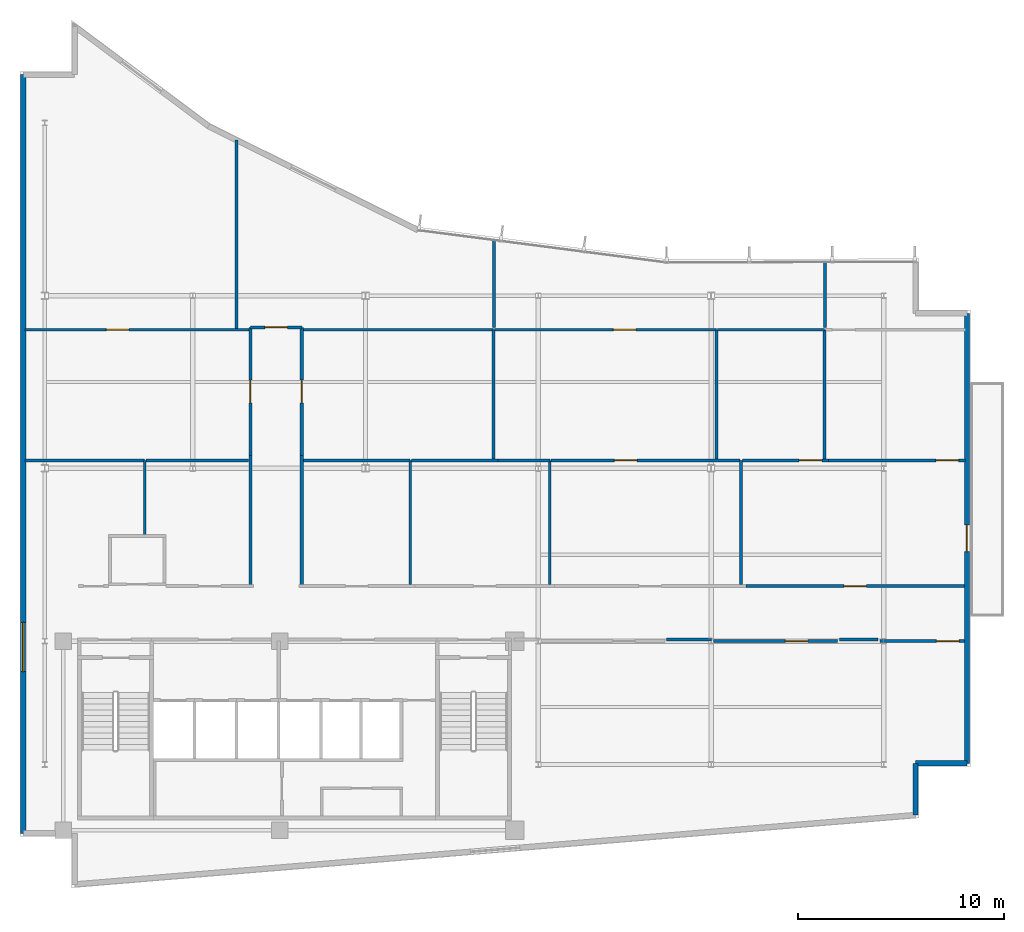
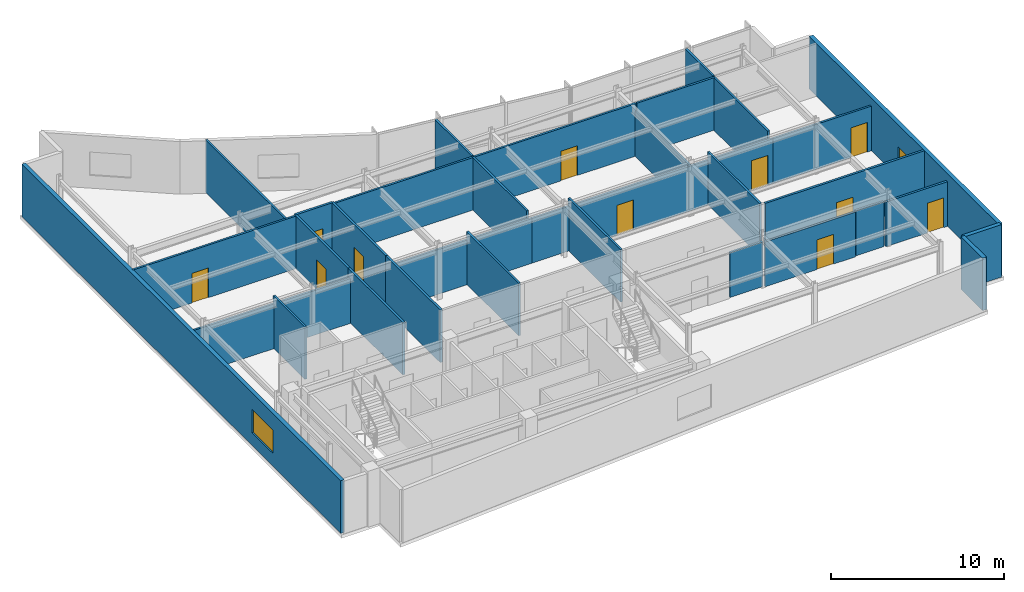
# One storey, part 11 of 15: 36 walls, 12 doors, 1 window, 13 openings.
"""IFC4 building model written with IfcOpenShell, lengths in metres."""

from ifc_helpers import new_model, si_unit, direction, frame, frame_2d, origin, place, context, subcontext, project, spatial, rectangle, extrude, material, layer, layer_set, type_object, element, fill, save


model = new_model("IFC4")

# Units and contexts
model_context = context("Model", 3, precision=1e-05, world=origin(), true_north=direction((0.0, 1.0)))
body_context = subcontext(model_context, "Body", "Model", "MODEL_VIEW")
ifc_project = project(units=[si_unit("LENGTHUNIT", "METRE"), si_unit("AREAUNIT", "SQUARE_METRE"), si_unit("VOLUMEUNIT", "CUBIC_METRE"), si_unit("PLANEANGLEUNIT", "RADIAN"), si_unit("MASSUNIT", "GRAM", prefix="KILO")], contexts=[model_context])

# Site, building, storey
site_placement = place(None, origin())
site = spatial("IfcSite", under=ifc_project, at=site_placement, CompositionType="ELEMENT")
building_placement = place(site_placement, origin())
building = spatial("IfcBuilding", under=site, at=building_placement, Name="Varnakote Quay Hospital", CompositionType="ELEMENT")
storey_placement = place(building_placement, frame((0.0, 0.0, 244.699951171875)))
storey = spatial("IfcBuildingStorey", under=building, at=storey_placement, Name="L60", CompositionType="ELEMENT", Elevation=244.699951171875)

# Walls
ifc_material_1 = material(Name="Fire-rated acoustic gypsum stud wall", Category="gypsum")
ifc_layer_1 = layer(ifc_material_1, 0.159912109375)
ifc_layer_set_1 = layer_set([ifc_layer_1], Name="Fire-rated acoustic gypsum stud wall")
wall_type_1 = type_object("IfcWallType", Name="WL-COMP-160", PredefinedType="PARTITIONING", material=ifc_layer_set_1)
wall_1_placement = place(storey_placement, frame((31.439208984375, 12.080078125, 0.0), z_axis=(0.0, 0.0, 1.0), x_axis=(1.0, 0.0, 0.0)))
element("IfcWall", 1, at=wall_1_placement, inside=storey, type_object=wall_type_1, Name="L60 Corridor South Gap Wall", PredefinedType="PARTITIONING", context=body_context, shape_type="SweptSolid", body=[
    extrude(rectangle(XDim=2.198486328125, YDim=0.159912109375, at=frame_2d((1.09912109375, 0.0))), origin(), (0.0, 0.0, 1.0), 3.156982421875),
])
wall_2_placement = place(storey_placement, frame((39.83935546875, 12.080078125, 0.0), z_axis=(0.0, 0.0, 1.0), x_axis=(1.0, 0.0, 0.0)))
element("IfcWall", 2, at=wall_2_placement, inside=storey, type_object=wall_type_1, Name="L60 Corridor South Gap Wall", PredefinedType="PARTITIONING", context=body_context, shape_type="SweptSolid", body=[
    extrude(rectangle(XDim=1.871337890625, YDim=0.159912109375, at=frame_2d((0.935546875, 0.0))), origin(), (0.0, 0.0, 1.0), 3.156982421875),
])
ifc_material_2 = material(Name="Precast concrete N50 (f'c 50 MPa)", Category="concrete")
ifc_layer_2 = layer(ifc_material_2, 0.260009765625)
ifc_layer_set_2 = layer_set([ifc_layer_2], Name="Precast concrete N50 (f'c 50 MPa)")
wall_type_2 = type_object("IfcWallType", Name="WL-EXT-BRICK-260", PredefinedType="STANDARD", material=ifc_layer_set_2)
wall_3_placement = place(storey_placement, frame((43.5400390625, 3.54736328125, 0.0), z_axis=(0.0, 0.0, 1.0), x_axis=(0.0, 1.0, 0.0)))
element("IfcWall", 3, at=wall_3_placement, inside=storey, type_object=wall_type_2, Name="L60 Brick-Faced Precast Exterior Wall", PredefinedType="STANDARD", context=body_context, shape_type="SweptSolid", body=[
    extrude(rectangle(XDim=2.5126953125, YDim=0.260009765625, at=frame_2d((1.25634765625, 0.0))), origin(), (0.0, 0.0, 1.0), 3.7099609375),
])
wall_4_placement = place(storey_placement, frame((43.5400390625, 6.06005859375, 0.0), z_axis=(0.0, 0.0, 1.0), x_axis=(1.0, 0.0, 0.0)))
element("IfcWall", 4, at=wall_4_placement, inside=storey, type_object=wall_type_2, Name="L60 Brick-Faced Precast Exterior Wall", PredefinedType="STANDARD", context=body_context, shape_type="SweptSolid", body=[
    extrude(rectangle(XDim=2.5, YDim=0.260009765625, at=frame_2d((1.25, 0.0))), origin(), (0.0, 0.0, 1.0), 3.7099609375),
])

# Wall, opening, door
wall_5_placement = place(storey_placement, frame((46.0400390625, 6.06005859375, 0.0), z_axis=(0.0, 0.0, 1.0), x_axis=(0.0, 1.0, 0.0)))
wall_5 = element("IfcWall", 5, at=wall_5_placement, inside=storey, type_object=wall_type_2, Name="L60 Healing Terrace Portal Brick Wall", PredefinedType="STANDARD", context=body_context, shape_type="SweptSolid", body=[
    extrude(rectangle(XDim=21.8798828125, YDim=0.260009765625, at=frame_2d((10.93994140625, 0.0))), origin(), (0.0, 0.0, 1.0), 3.7099609375),
])
opening_1_placement = place(wall_5_placement, frame((10.2900390625, 0.0, 0.0)))
opening_1 = element("IfcOpeningElement", 6, at=opening_1_placement, cuts=wall_5, Name="Opening DT-L60", PredefinedType="OPENING", context=body_context, shape_type="SweptSolid", body=[
    extrude(rectangle(XDim=1.300048828125, YDim=2.14990234375, at=frame_2d((0.64990234375, 1.074951171875))), frame((0.0, 0.139892578125, 0.0), z_axis=(0.0, -1.0, 0.0), x_axis=(1.0, 0.0, 0.0)), (0.0, 0.0, 1.0), 0.280029296875),
])
ifc_material_3 = material(Name="Anodised aluminium glazed terrace door", Category="aluminium")
door_type_1 = type_object("IfcDoorType", Name="DR-EXT-TERR-1300x2150", OperationType="NOTDEFINED", PredefinedType="DOOR", material=ifc_material_3)
door_1_placement = place(opening_1_placement, origin())
door_1 = element("IfcDoor", 7, at=door_1_placement, inside=storey, type_object=door_type_1, Name="L60 Waterfront Healing Terrace Door", OperationType="SINGLE_SWING_LEFT", OverallHeight=2.14990234375, OverallWidth=1.300048828125, PredefinedType="DOOR", context=body_context, shape_type="SweptSolid", body=[
    extrude(rectangle(XDim=1.300048828125, YDim=2.14990234375, at=frame_2d((0.64990234375, 1.074951171875))), frame((0.0, 0.02490234375, 0.0), z_axis=(0.0, -1.0, 0.0), x_axis=(1.0, 0.0, 0.0)), (0.0, 0.0, 1.0), 0.050048828125),
])
fill(opening_1, door_1)

# Wall, opening, window
wall_6_placement = place(storey_placement, frame((0.159912109375, 39.5400390625, 0.0), z_axis=(0.0, 0.0, 1.0), x_axis=(0.0, -1.0, 0.0)))
wall_6 = element("IfcWall", 8, at=wall_6_placement, inside=storey, type_object=wall_type_2, Name="L60 Brick-Faced Precast Exterior Wall", PredefinedType="STANDARD", context=body_context, shape_type="SweptSolid", body=[
    extrude(rectangle(XDim=36.880126953125, YDim=0.260009765625, at=frame_2d((18.43994140625, 0.0))), origin(), (0.0, 0.0, 1.0), 3.7099609375),
])
opening_2_placement = place(wall_6_placement, frame((26.625, 0.0, 0.89990234375)))
opening_2 = element("IfcOpeningElement", 9, at=opening_2_placement, cuts=wall_6, Name="Opening WN-0245", PredefinedType="OPENING", context=body_context, shape_type="SweptSolid", body=[
    extrude(rectangle(XDim=2.39990234375, YDim=1.64990234375, at=frame_2d((1.199951171875, 0.824951171875))), frame((0.0, 0.139892578125, 0.0), z_axis=(0.0, -1.0, 0.0), x_axis=(1.0, 0.0, 0.0)), (0.0, 0.0, 1.0), 0.280029296875),
])
ifc_material_4 = material(Name="Double-glazed low-E solar glass", Category="glass")
window_type = type_object("IfcWindowType", Name="WIN-CLIN-2400x1650", PartitioningType="SINGLE_PANEL", PredefinedType="WINDOW", material=ifc_material_4)
window_placement = place(opening_2_placement, origin())
window = element("IfcWindow", 10, at=window_placement, inside=storey, type_object=window_type, Name="L60 Solar-Control Clinical Window", OverallHeight=1.64990234375, OverallWidth=2.39990234375, PartitioningType="SINGLE_PANEL", PredefinedType="WINDOW", context=body_context, shape_type="SweptSolid", body=[
    extrude(rectangle(XDim=2.39990234375, YDim=1.64990234375, at=frame_2d((1.199951171875, 0.824951171875))), frame((0.0, 0.030029296875, 0.0), z_axis=(0.0, -1.0, 0.0), x_axis=(1.0, 0.0, 0.0)), (0.0, 0.0, 1.0), 0.06005859375),
])
fill(opening_2, window)

# Walls
ifc_material_5 = material(Name="Smoke-proof clinical partition", Category="gypsum")
ifc_layer_3 = layer(ifc_material_5, 0.135009765625)
ifc_layer_set_3 = layer_set([ifc_layer_3], Name="Smoke-proof clinical partition")
wall_type_3 = type_object("IfcWallType", Name="WL-SMOKE-135", PredefinedType="PARTITIONING", material=ifc_layer_set_3)
wall_7_placement = place(storey_placement, frame((6.06005859375, 17.139892578125, 0.0), z_axis=(0.0, 0.0, 1.0), x_axis=(0.0, 1.0, 0.0)))
element("IfcWall", 11, at=wall_7_placement, inside=storey, type_object=wall_type_3, Name="L60 Clinical Interior Partition", PredefinedType="PARTITIONING", context=body_context, shape_type="SweptSolid", body=[
    extrude(rectangle(XDim=3.650146484375, YDim=0.135009765625, at=frame_2d((1.8251953125, 0.0))), origin(), (0.0, 0.0, 1.0), 3.7099609375),
])
wall_8_placement = place(storey_placement, frame((6.06005859375, 20.7900390625, 0.0), z_axis=(0.0, 0.0, 1.0), x_axis=(-1.0, 0.0, 0.0)))
element("IfcWall", 12, at=wall_8_placement, inside=storey, type_object=wall_type_3, Name="L60 Clinical Interior Partition", PredefinedType="PARTITIONING", context=body_context, shape_type="SweptSolid", body=[
    extrude(rectangle(XDim=5.820068359375, YDim=0.135009765625, at=frame_2d((2.91015625, 0.0))), origin(), (0.0, 0.0, 1.0), 3.156982421875),
])
wall_9_placement = place(storey_placement, frame((11.1201171875, 20.7900390625, 0.0), z_axis=(0.0, 0.0, 1.0), x_axis=(-1.0, 0.0, 0.0)))
element("IfcWall", 13, at=wall_9_placement, inside=storey, type_object=wall_type_3, Name="L60 Clinical Interior Partition", PredefinedType="PARTITIONING", context=body_context, shape_type="SweptSolid", body=[
    extrude(rectangle(XDim=5.002685546875, YDim=0.135009765625, at=frame_2d((2.50146484375, 0.0))), origin(), (0.0, 0.0, 1.0), 3.156982421875),
])
wall_10_placement = place(storey_placement, frame((18.969970703125, 14.760009765625, 0.0), z_axis=(0.0, 0.0, 1.0), x_axis=(0.0, 1.0, 0.0)))
element("IfcWall", 14, at=wall_10_placement, inside=storey, type_object=wall_type_3, Name="L60 Clinical Interior Partition", PredefinedType="PARTITIONING", context=body_context, shape_type="SweptSolid", body=[
    extrude(rectangle(XDim=6.030029296875, YDim=0.135009765625, at=frame_2d((3.01513671875, 0.0))), origin(), (0.0, 0.0, 1.0), 3.7099609375),
])
wall_11_placement = place(storey_placement, frame((18.969970703125, 20.7900390625, 0.0), z_axis=(0.0, 0.0, 1.0), x_axis=(-1.0, 0.0, 0.0)))
element("IfcWall", 15, at=wall_11_placement, inside=storey, type_object=wall_type_3, Name="L60 Clinical Interior Partition", PredefinedType="PARTITIONING", context=body_context, shape_type="SweptSolid", body=[
    extrude(rectangle(XDim=5.18994140625, YDim=0.135009765625, at=frame_2d((2.594970703125, 0.0))), origin(), (0.0, 0.0, 1.0), 3.156982421875),
])
wall_12_placement = place(storey_placement, frame((25.760009765625, 14.760009765625, 0.0), z_axis=(0.0, 0.0, 1.0), x_axis=(0.0, 1.0, 0.0)))
element("IfcWall", 16, at=wall_12_placement, inside=storey, type_object=wall_type_3, Name="L60 Clinical Interior Partition", PredefinedType="PARTITIONING", context=body_context, shape_type="SweptSolid", body=[
    extrude(rectangle(XDim=6.030029296875, YDim=0.135009765625, at=frame_2d((3.01513671875, 0.0))), origin(), (0.0, 0.0, 1.0), 3.7099609375),
])
wall_13_placement = place(storey_placement, frame((23.2275390625, 20.7900390625, 0.0), z_axis=(0.0, 0.0, 1.0), x_axis=(-1.0, 0.0, 0.0)))
element("IfcWall", 17, at=wall_13_placement, inside=storey, type_object=wall_type_3, Name="L60 Clinical Interior Partition", PredefinedType="PARTITIONING", context=body_context, shape_type="SweptSolid", body=[
    extrude(rectangle(XDim=4.199951171875, YDim=0.135009765625, at=frame_2d((2.10009765625, 0.0))), origin(), (0.0, 0.0, 1.0), 3.156982421875),
])
wall_14_placement = place(storey_placement, frame((25.760009765625, 20.7900390625, 0.0), z_axis=(0.0, 0.0, 1.0), x_axis=(-1.0, 0.0, 0.0)))
element("IfcWall", 18, at=wall_14_placement, inside=storey, type_object=wall_type_3, Name="L60 Clinical Interior Partition", PredefinedType="PARTITIONING", context=body_context, shape_type="SweptSolid", body=[
    extrude(rectangle(XDim=2.530517578125, YDim=0.135009765625, at=frame_2d((1.26513671875, 0.0))), origin(), (0.0, 0.0, 1.0), 3.156982421875),
])
wall_15_placement = place(storey_placement, frame((35.06005859375, 14.760009765625, 0.0), z_axis=(0.0, 0.0, 1.0), x_axis=(0.0, 1.0, 0.0)))
element("IfcWall", 19, at=wall_15_placement, inside=storey, type_object=wall_type_3, Name="L60 Clinical Interior Partition", PredefinedType="PARTITIONING", context=body_context, shape_type="SweptSolid", body=[
    extrude(rectangle(XDim=6.030029296875, YDim=0.135009765625, at=frame_2d((3.01513671875, 0.0))), origin(), (0.0, 0.0, 1.0), 3.7099609375),
])

# Wall, opening, door
wall_16_placement = place(storey_placement, frame((35.00244140625, 20.7900390625, 0.0), z_axis=(0.0, 0.0, 1.0), x_axis=(-1.0, 0.0, 0.0)))
wall_16 = element("IfcWall", 20, at=wall_16_placement, inside=storey, type_object=wall_type_3, Name="L60 Clinical Interior Partition", PredefinedType="PARTITIONING", context=body_context, shape_type="SweptSolid", body=[
    extrude(rectangle(XDim=9.18505859375, YDim=0.135009765625, at=frame_2d((4.592529296875, 0.0))), origin(), (0.0, 0.0, 1.0), 3.156982421875),
])
opening_3_placement = place(wall_16_placement, frame((5.003173828125, 0.0, 0.0)))
opening_3 = element("IfcOpeningElement", 21, at=opening_3_placement, cuts=wall_16, Name="Opening D-L60-MD09", PredefinedType="OPENING", context=body_context, shape_type="SweptSolid", body=[
    extrude(rectangle(XDim=1.10009765625, YDim=2.10009765625, at=frame_2d((0.550048828125, 1.050048828125))), frame((0.0, 0.077392578125, 0.0), z_axis=(0.0, -1.0, 0.0), x_axis=(1.0, 0.0, 0.0)), (0.0, 0.0, 1.0), 0.155029296875),
])
ifc_material_6 = material(Name="Acoustic timber clinical consult door", Category="wood")
door_type_2 = type_object("IfcDoorType", Name="DR-CLIN-FD30S-1100x2100", OperationType="NOTDEFINED", PredefinedType="DOOR", material=ifc_material_6)
door_2_placement = place(opening_3_placement, origin())
door_2 = element("IfcDoor", 22, at=door_2_placement, inside=storey, type_object=door_type_2, Name="L60 Clinical Simulation Teaching Room Door", OperationType="SINGLE_SWING_RIGHT", OverallHeight=2.10009765625, OverallWidth=1.10009765625, PredefinedType="DOOR", context=body_context, shape_type="SweptSolid", body=[
    extrude(rectangle(XDim=1.10009765625, YDim=2.10009765625, at=frame_2d((0.550048828125, 1.050048828125))), frame((0.0, 0.02490234375, 0.0), z_axis=(0.0, -1.0, 0.0), x_axis=(1.0, 0.0, 0.0)), (0.0, 0.0, 1.0), 0.050048828125),
])
fill(opening_3, door_2)

wall_17_placement = place(storey_placement, frame((39.3173828125, 20.7900390625, 0.0), z_axis=(0.0, 0.0, 1.0), x_axis=(-1.0, 0.0, 0.0)))
wall_17 = element("IfcWall", 23, at=wall_17_placement, inside=storey, type_object=wall_type_3, Name="L60 Clinical Interior Partition", PredefinedType="PARTITIONING", context=body_context, shape_type="SweptSolid", body=[
    extrude(rectangle(XDim=4.199951171875, YDim=0.135009765625, at=frame_2d((2.10009765625, 0.0))), origin(), (0.0, 0.0, 1.0), 3.156982421875),
])
opening_4_placement = place(wall_17_placement, frame((0.3349609375, 0.0, 0.0)))
opening_4 = element("IfcOpeningElement", 24, at=opening_4_placement, cuts=wall_17, Name="Opening D-L60-MD10", PredefinedType="OPENING", context=body_context, shape_type="SweptSolid", body=[
    extrude(rectangle(XDim=1.10009765625, YDim=2.10009765625, at=frame_2d((0.550048828125, 1.050048828125))), frame((0.0, 0.077392578125, 0.0), z_axis=(0.0, -1.0, 0.0), x_axis=(1.0, 0.0, 0.0)), (0.0, 0.0, 1.0), 0.155029296875),
])
door_3_placement = place(opening_4_placement, origin())
door_3 = element("IfcDoor", 25, at=door_3_placement, inside=storey, type_object=door_type_2, Name="L60 Rehabilitation Therapy Treatment Suite Door", OperationType="SINGLE_SWING_LEFT", OverallHeight=2.10009765625, OverallWidth=1.10009765625, PredefinedType="DOOR", context=body_context, shape_type="SweptSolid", body=[
    extrude(rectangle(XDim=1.10009765625, YDim=2.10009765625, at=frame_2d((0.550048828125, 1.050048828125))), frame((0.0, 0.02490234375, 0.0), z_axis=(0.0, -1.0, 0.0), x_axis=(1.0, 0.0, 0.0)), (0.0, 0.0, 1.0), 0.050048828125),
])
fill(opening_4, door_3)

wall_18_placement = place(storey_placement, frame((45.9599609375, 20.7900390625, 0.0), z_axis=(0.0, 0.0, 1.0), x_axis=(-1.0, 0.0, 0.0)))
wall_18 = element("IfcWall", 26, at=wall_18_placement, inside=storey, type_object=wall_type_3, Name="L60 Clinical Interior Partition", PredefinedType="PARTITIONING", context=body_context, shape_type="SweptSolid", body=[
    extrude(rectangle(XDim=6.640380859375, YDim=0.135009765625, at=frame_2d((3.3203125, 0.0))), origin(), (0.0, 0.0, 1.0), 3.156982421875),
])
opening_5_placement = place(wall_18_placement, frame((0.32861328125, 0.0, 0.0)))
opening_5 = element("IfcOpeningElement", 27, at=opening_5_placement, cuts=wall_18, Name="Opening D-L60-DLNG", PredefinedType="OPENING", context=body_context, shape_type="SweptSolid", body=[
    extrude(rectangle(XDim=1.10009765625, YDim=2.10009765625, at=frame_2d((0.550048828125, 1.050048828125))), frame((0.0, 0.077392578125, 0.0), z_axis=(0.0, -1.0, 0.0), x_axis=(1.0, 0.0, 0.0)), (0.0, 0.0, 1.0), 0.155029296875),
])
door_4_placement = place(opening_5_placement, origin())
door_4 = element("IfcDoor", 28, at=door_4_placement, inside=storey, type_object=door_type_2, Name="L60 Waterfront Patient & Family Dayroom Door", OperationType="SINGLE_SWING_RIGHT", OverallHeight=2.10009765625, OverallWidth=1.10009765625, PredefinedType="DOOR", context=body_context, shape_type="SweptSolid", body=[
    extrude(rectangle(XDim=1.10009765625, YDim=2.10009765625, at=frame_2d((0.550048828125, 1.050048828125))), frame((0.0, 0.02490234375, 0.0), z_axis=(0.0, -1.0, 0.0), x_axis=(1.0, 0.0, 0.0)), (0.0, 0.0, 1.0), 0.050048828125),
])
fill(opening_5, door_4)

wall_19_placement = place(storey_placement, frame((11.135009765625, 27.139892578125, 0.0), z_axis=(0.0, 0.0, 1.0), x_axis=(-1.0, 0.0, 0.0)))
wall_19 = element("IfcWall", 29, at=wall_19_placement, inside=storey, type_object=wall_type_3, Name="L60 Clinical Interior Partition", PredefinedType="PARTITIONING", context=body_context, shape_type="SweptSolid", body=[
    extrude(rectangle(XDim=10.89501953125, YDim=0.135009765625, at=frame_2d((5.447509765625, 0.0))), origin(), (0.0, 0.0, 1.0), 3.7099609375),
])
opening_6_placement = place(wall_19_placement, frame((5.8369140625, 0.0, 0.0)))
opening_6 = element("IfcOpeningElement", 30, at=opening_6_placement, cuts=wall_19, Name="Opening D-L60-MD11", PredefinedType="OPENING", context=body_context, shape_type="SweptSolid", body=[
    extrude(rectangle(XDim=1.10009765625, YDim=2.10009765625, at=frame_2d((0.550048828125, 1.050048828125))), frame((0.0, 0.077392578125, 0.0), z_axis=(0.0, -1.0, 0.0), x_axis=(1.0, 0.0, 0.0)), (0.0, 0.0, 1.0), 0.155029296875),
])
door_5_placement = place(opening_6_placement, origin())
door_5 = element("IfcDoor", 31, at=door_5_placement, inside=storey, type_object=door_type_2, Name="L60 Physiotherapy Consult Office Door", OperationType="SINGLE_SWING_LEFT", OverallHeight=2.10009765625, OverallWidth=1.10009765625, PredefinedType="DOOR", context=body_context, shape_type="SweptSolid", body=[
    extrude(rectangle(XDim=1.10009765625, YDim=2.10009765625, at=frame_2d((0.550048828125, 1.050048828125))), frame((0.0, 0.02490234375, 0.0), z_axis=(0.0, -1.0, 0.0), x_axis=(1.0, 0.0, 0.0)), (0.0, 0.0, 1.0), 0.050048828125),
])
fill(opening_6, door_5)

# Walls
wall_20_placement = place(storey_placement, frame((23.02001953125, 20.847412109375, 0.0), z_axis=(0.0, 0.0, 1.0), x_axis=(0.0, 1.0, 0.0)))
element("IfcWall", 32, at=wall_20_placement, inside=storey, type_object=wall_type_3, Name="L60 Clinical Interior Partition", PredefinedType="PARTITIONING", context=body_context, shape_type="SweptSolid", body=[
    extrude(rectangle(XDim=6.29248046875, YDim=0.135009765625, at=frame_2d((3.146240234375, 0.0))), origin(), (0.0, 0.0, 1.0), 3.7099609375),
])
wall_21_placement = place(storey_placement, frame((23.02001953125, 27.139892578125, 0.0), z_axis=(0.0, 0.0, 1.0), x_axis=(-1.0, 0.0, 0.0)))
element("IfcWall", 33, at=wall_21_placement, inside=storey, type_object=wall_type_3, Name="L60 Clinical Interior Partition", PredefinedType="PARTITIONING", context=body_context, shape_type="SweptSolid", body=[
    extrude(rectangle(XDim=9.239990234375, YDim=0.135009765625, at=frame_2d((4.6201171875, 0.0))), origin(), (0.0, 0.0, 1.0), 3.7099609375),
])
wall_22_placement = place(storey_placement, frame((33.860107421875, 20.847412109375, 0.0), z_axis=(0.0, 0.0, 1.0), x_axis=(0.0, 1.0, 0.0)))
element("IfcWall", 34, at=wall_22_placement, inside=storey, type_object=wall_type_3, Name="L60 Clinical Interior Partition", PredefinedType="PARTITIONING", context=body_context, shape_type="SweptSolid", body=[
    extrude(rectangle(XDim=6.29248046875, YDim=0.135009765625, at=frame_2d((3.146240234375, 0.0))), origin(), (0.0, 0.0, 1.0), 3.156982421875),
])

# Wall, opening, door
wall_23_placement = place(storey_placement, frame((33.860107421875, 27.139892578125, 0.0), z_axis=(0.0, 0.0, 1.0), x_axis=(-1.0, 0.0, 0.0)))
wall_23 = element("IfcWall", 35, at=wall_23_placement, inside=storey, type_object=wall_type_3, Name="L60 Clinical Interior Partition", PredefinedType="PARTITIONING", context=body_context, shape_type="SweptSolid", body=[
    extrude(rectangle(XDim=10.78271484375, YDim=0.135009765625, at=frame_2d((5.391357421875, 0.0))), origin(), (0.0, 0.0, 1.0), 3.7099609375),
])
opening_7_placement = place(wall_23_placement, frame((3.9130859375, 0.0, 0.0)))
opening_7 = element("IfcOpeningElement", 36, at=opening_7_placement, cuts=wall_23, Name="Opening D-L60-MD13", PredefinedType="OPENING", context=body_context, shape_type="SweptSolid", body=[
    extrude(rectangle(XDim=1.10009765625, YDim=2.10009765625, at=frame_2d((0.550048828125, 1.050048828125))), frame((0.0, 0.077392578125, 0.0), z_axis=(0.0, -1.0, 0.0), x_axis=(1.0, 0.0, 0.0)), (0.0, 0.0, 1.0), 0.155029296875),
])
door_6_placement = place(opening_7_placement, origin())
door_6 = element("IfcDoor", 37, at=door_6_placement, inside=storey, type_object=door_type_2, Name="L60 Clinical Simulation Teaching Room Door", OperationType="SINGLE_SWING_RIGHT", OverallHeight=2.10009765625, OverallWidth=1.10009765625, PredefinedType="DOOR", context=body_context, shape_type="SweptSolid", body=[
    extrude(rectangle(XDim=1.10009765625, YDim=2.10009765625, at=frame_2d((0.550048828125, 1.050048828125))), frame((0.0, 0.02490234375, 0.0), z_axis=(0.0, -1.0, 0.0), x_axis=(1.0, 0.0, 0.0)), (0.0, 0.0, 1.0), 0.050048828125),
])
fill(opening_7, door_6)

# Walls
wall_24_placement = place(storey_placement, frame((39.110107421875, 20.847412109375, 0.0), z_axis=(0.0, 0.0, 1.0), x_axis=(0.0, 1.0, 0.0)))
element("IfcWall", 38, at=wall_24_placement, inside=storey, type_object=wall_type_3, Name="L60 Clinical Interior Partition", PredefinedType="PARTITIONING", context=body_context, shape_type="SweptSolid", body=[
    extrude(rectangle(XDim=6.29248046875, YDim=0.135009765625, at=frame_2d((3.146240234375, 0.0))), origin(), (0.0, 0.0, 1.0), 3.7099609375),
])
wall_25_placement = place(storey_placement, frame((39.110107421875, 27.139892578125, 0.0), z_axis=(0.0, 0.0, 1.0), x_axis=(-1.0, 0.0, 0.0)))
element("IfcWall", 39, at=wall_25_placement, inside=storey, type_object=wall_type_3, Name="L60 Clinical Interior Partition", PredefinedType="PARTITIONING", context=body_context, shape_type="SweptSolid", body=[
    extrude(rectangle(XDim=5.192626953125, YDim=0.135009765625, at=frame_2d((2.59619140625, 0.0))), origin(), (0.0, 0.0, 1.0), 3.7099609375),
])
wall_26_placement = place(storey_placement, frame((10.52001953125, 27.197509765625, 0.0), z_axis=(0.0, 0.0, 1.0), x_axis=(0.0, 1.0, 0.0)))
element("IfcWall", 40, at=wall_26_placement, inside=storey, type_object=wall_type_3, Name="L60 Clinical Interior Partition", PredefinedType="PARTITIONING", context=body_context, shape_type="SweptSolid", body=[
    extrude(rectangle(XDim=9.1640625, YDim=0.135009765625, at=frame_2d((4.58203125, 0.0))), origin(), (0.0, 0.0, 1.0), 3.7099609375),
])
wall_27_placement = place(storey_placement, frame((23.0400390625, 27.260009765625, 0.0), z_axis=(0.0, 0.0, 1.0), x_axis=(0.0, 1.0, 0.0)))
element("IfcWall", 41, at=wall_27_placement, inside=storey, type_object=wall_type_3, Name="L60 Clinical Interior Partition", PredefinedType="PARTITIONING", context=body_context, shape_type="SweptSolid", body=[
    extrude(rectangle(XDim=4.234375, YDim=0.135009765625, at=frame_2d((2.1171875, 0.0))), origin(), (0.0, 0.0, 1.0), 3.7099609375),
])
wall_28_placement = place(storey_placement, frame((39.139892578125, 27.260009765625, 0.0), z_axis=(0.0, 0.0, 1.0), x_axis=(0.0, 1.0, 0.0)))
element("IfcWall", 42, at=wall_28_placement, inside=storey, type_object=wall_type_3, Name="L60 Clinical Interior Partition", PredefinedType="PARTITIONING", context=body_context, shape_type="SweptSolid", body=[
    extrude(rectangle(XDim=3.16796875, YDim=0.135009765625, at=frame_2d((1.583984375, 0.0))), origin(), (0.0, 0.0, 1.0), 3.7099609375),
])

# Wall, opening, door
ifc_material_7 = material(Name="Fire-rated clinical gypsum partition", Category="gypsum")
ifc_layer_4 = layer(ifc_material_7, 0.14990234375)
ifc_layer_set_4 = layer_set([ifc_layer_4], Name="Fire-rated clinical gypsum partition")
wall_type_4 = type_object("IfcWallType", Name="WL-WARD-150", PredefinedType="PARTITIONING", material=ifc_layer_set_4)
wall_29_placement = place(storey_placement, frame((39.75, 12.0, 0.0), z_axis=(0.0, 0.0, 1.0), x_axis=(-1.0, 0.0, 0.0)))
wall_29 = element("IfcWall", 43, at=wall_29_placement, inside=storey, type_object=wall_type_4, Name="L60 Clinical Interior Partition", PredefinedType="PARTITIONING", context=body_context, shape_type="SweptSolid", body=[
    extrude(rectangle(XDim=6.02294921875, YDim=0.14990234375, at=frame_2d((3.011474609375, 0.0))), origin(), (0.0, 0.0, 1.0), 3.156982421875),
])
opening_8_placement = place(wall_29_placement, frame((1.44384765625, 0.0, 0.0)))
opening_8 = element("IfcOpeningElement", 44, at=opening_8_placement, cuts=wall_29, Name="Opening D-L60-RM1", PredefinedType="OPENING", context=body_context, shape_type="SweptSolid", body=[
    extrude(rectangle(XDim=1.10009765625, YDim=2.10009765625, at=frame_2d((0.550048828125, 1.050048828125))), frame((0.0, 0.0849609375, 0.0), z_axis=(0.0, -1.0, 0.0), x_axis=(1.0, 0.0, 0.0)), (0.0, 0.0, 1.0), 0.169921875),
])
door_7_placement = place(opening_8_placement, origin())
door_7 = element("IfcDoor", 45, at=door_7_placement, inside=storey, type_object=door_type_2, Name="L60 Cardiac Telemetry Treatment Suite Door", OperationType="SINGLE_SWING_LEFT", OverallHeight=2.10009765625, OverallWidth=1.10009765625, PredefinedType="DOOR", context=body_context, shape_type="SweptSolid", body=[
    extrude(rectangle(XDim=1.10009765625, YDim=2.10009765625, at=frame_2d((0.550048828125, 1.050048828125))), frame((0.0, 0.02490234375, 0.0), z_axis=(0.0, -1.0, 0.0), x_axis=(1.0, 0.0, 0.0)), (0.0, 0.0, 1.0), 0.050048828125),
])
fill(opening_8, door_7)

wall_30_placement = place(storey_placement, frame((45.919921875, 12.0, 0.0), z_axis=(0.0, 0.0, 1.0), x_axis=(-1.0, 0.0, 0.0)))
wall_30 = element("IfcWall", 46, at=wall_30_placement, inside=storey, type_object=wall_type_4, Name="L60 Clinical Interior Partition", PredefinedType="PARTITIONING", context=body_context, shape_type="SweptSolid", body=[
    extrude(rectangle(XDim=4.119873046875, YDim=0.14990234375, at=frame_2d((2.06005859375, 0.0))), origin(), (0.0, 0.0, 1.0), 3.156982421875),
])
opening_9_placement = place(wall_30_placement, frame((0.265380859375, 0.0, 0.0)))
opening_9 = element("IfcOpeningElement", 47, at=opening_9_placement, cuts=wall_30, Name="Opening D-L60-SE1", PredefinedType="OPENING", context=body_context, shape_type="SweptSolid", body=[
    extrude(rectangle(XDim=1.10009765625, YDim=2.10009765625, at=frame_2d((0.550048828125, 1.050048828125))), frame((0.0, 0.0849609375, 0.0), z_axis=(0.0, -1.0, 0.0), x_axis=(1.0, 0.0, 0.0)), (0.0, 0.0, 1.0), 0.169921875),
])
door_8_placement = place(opening_9_placement, origin())
door_8 = element("IfcDoor", 48, at=door_8_placement, inside=storey, type_object=door_type_2, Name="L60 Clinical Biomedical Engineering Office Door", OperationType="SINGLE_SWING_RIGHT", OverallHeight=2.10009765625, OverallWidth=1.10009765625, PredefinedType="DOOR", context=body_context, shape_type="SweptSolid", body=[
    extrude(rectangle(XDim=1.10009765625, YDim=2.10009765625, at=frame_2d((0.550048828125, 1.050048828125))), frame((0.0, 0.02490234375, 0.0), z_axis=(0.0, -1.0, 0.0), x_axis=(1.0, 0.0, 0.0)), (0.0, 0.0, 1.0), 0.050048828125),
])
fill(opening_9, door_8)

wall_31_placement = place(storey_placement, frame((45.919921875, 14.679931640625, 0.0), z_axis=(0.0, 0.0, 1.0), x_axis=(-1.0, 0.0, 0.0)))
wall_31 = element("IfcWall", 49, at=wall_31_placement, inside=storey, type_object=wall_type_4, Name="L60 Clinical Interior Partition", PredefinedType="PARTITIONING", context=body_context, shape_type="SweptSolid", body=[
    extrude(rectangle(XDim=10.6318359375, YDim=0.14990234375, at=frame_2d((5.31591796875, 0.0))), origin(), (0.0, 0.0, 1.0), 3.7099609375),
])
opening_10_placement = place(wall_31_placement, frame((4.76611328125, 0.0, 0.0)))
opening_10 = element("IfcOpeningElement", 50, at=opening_10_placement, cuts=wall_31, Name="Opening D-L60-MD06", PredefinedType="OPENING", context=body_context, shape_type="SweptSolid", body=[
    extrude(rectangle(XDim=1.10009765625, YDim=2.10009765625, at=frame_2d((0.550048828125, 1.050048828125))), frame((0.0, 0.0849609375, 0.0), z_axis=(0.0, -1.0, 0.0), x_axis=(1.0, 0.0, 0.0)), (0.0, 0.0, 1.0), 0.169921875),
])
door_9_placement = place(opening_10_placement, origin())
door_9 = element("IfcDoor", 51, at=door_9_placement, inside=storey, type_object=door_type_2, Name="L60 Rehabilitation Therapy Treatment Suite Door", OperationType="SINGLE_SWING_RIGHT", OverallHeight=2.10009765625, OverallWidth=1.10009765625, PredefinedType="DOOR", context=body_context, shape_type="SweptSolid", body=[
    extrude(rectangle(XDim=1.10009765625, YDim=2.10009765625, at=frame_2d((0.550048828125, 1.050048828125))), frame((0.0, 0.02490234375, 0.0), z_axis=(0.0, -1.0, 0.0), x_axis=(1.0, 0.0, 0.0)), (0.0, 0.0, 1.0), 0.050048828125),
])
fill(opening_10, door_9)

# Walls
for number, where, z_axis, x_axis, name in (
    (52, (11.199951171875, 21.01611328125, 0.0), (0.0, 0.0, 1.0), (0.0, -1.0, 0.0), "L60 Clinical Interior Partition"),
    (53, (13.699951171875, 14.699951171875, 0.0), (0.0, 0.0, 1.0), (0.0, 1.0, 0.0), "L60 Clinical Interior Partition"),
):
    element("IfcWall", number, at=place(storey_placement, frame(where, z_axis=z_axis, x_axis=x_axis)), inside=storey, type_object=wall_type_4, Name=name, PredefinedType="PARTITIONING", context=body_context, shape_type="SweptSolid", body=[
        extrude(rectangle(XDim=6.316162109375, YDim=0.14990234375, at=frame_2d((3.158203125, 0.0))), origin(), (0.0, 0.0, 1.0), 3.7099609375),
    ])

# Wall, opening, door
wall_32_placement = place(storey_placement, frame((11.199951171875, 27.260009765625, 0.0), z_axis=(0.0, 0.0, 1.0), x_axis=(0.0, -1.0, 0.0)))
wall_32 = element("IfcWall", 54, at=wall_32_placement, inside=storey, type_object=wall_type_4, Name="L60 Clinical Interior Partition", PredefinedType="PARTITIONING", context=body_context, shape_type="SweptSolid", body=[
    extrude(rectangle(XDim=6.241943359375, YDim=0.14990234375, at=frame_2d((3.12109375, 0.0))), origin(), (0.0, 0.0, 1.0), 3.7099609375),
])
opening_11_placement = place(wall_32_placement, frame((2.571044921875, 0.0, 0.0)))
opening_11 = element("IfcOpeningElement", 55, at=opening_11_placement, cuts=wall_32, Name="Opening D-L60-MD07", PredefinedType="OPENING", context=body_context, shape_type="SweptSolid", body=[
    extrude(rectangle(XDim=1.10009765625, YDim=2.10009765625, at=frame_2d((0.550048828125, 1.050048828125))), frame((0.0, 0.0849609375, 0.0), z_axis=(0.0, -1.0, 0.0), x_axis=(1.0, 0.0, 0.0)), (0.0, 0.0, 1.0), 0.169921875),
])
door_10_placement = place(opening_11_placement, origin())
door_10 = element("IfcDoor", 56, at=door_10_placement, inside=storey, type_object=door_type_2, Name="L60 Physiotherapy Consult Office Door", OperationType="SINGLE_SWING_LEFT", OverallHeight=2.10009765625, OverallWidth=1.10009765625, PredefinedType="DOOR", context=body_context, shape_type="SweptSolid", body=[
    extrude(rectangle(XDim=1.10009765625, YDim=2.10009765625, at=frame_2d((0.550048828125, 1.050048828125))), frame((0.0, 0.02490234375, 0.0), z_axis=(0.0, -1.0, 0.0), x_axis=(1.0, 0.0, 0.0)), (0.0, 0.0, 1.0), 0.050048828125),
])
fill(opening_11, door_10)

wall_33_placement = place(storey_placement, frame((13.699951171875, 21.01806640625, 0.0), z_axis=(0.0, 0.0, 1.0), x_axis=(0.0, 1.0, 0.0)))
wall_33 = element("IfcWall", 57, at=wall_33_placement, inside=storey, type_object=wall_type_4, Name="L60 Clinical Interior Partition", PredefinedType="PARTITIONING", context=body_context, shape_type="SweptSolid", body=[
    extrude(rectangle(XDim=6.241943359375, YDim=0.14990234375, at=frame_2d((3.12109375, 0.0))), origin(), (0.0, 0.0, 1.0), 3.7099609375),
])
opening_12_placement = place(wall_33_placement, frame((2.571044921875, 0.0, 0.0)))
opening_12 = element("IfcOpeningElement", 58, at=opening_12_placement, cuts=wall_33, Name="Opening D-L60-MD08", PredefinedType="OPENING", context=body_context, shape_type="SweptSolid", body=[
    extrude(rectangle(XDim=1.10009765625, YDim=2.10009765625, at=frame_2d((0.550048828125, 1.050048828125))), frame((0.0, 0.0849609375, 0.0), z_axis=(0.0, -1.0, 0.0), x_axis=(1.0, 0.0, 0.0)), (0.0, 0.0, 1.0), 0.169921875),
])
door_11_placement = place(opening_12_placement, origin())
door_11 = element("IfcDoor", 59, at=door_11_placement, inside=storey, type_object=door_type_2, Name="L60 Case Review Meeting Room Door", OperationType="SINGLE_SWING_RIGHT", OverallHeight=2.10009765625, OverallWidth=1.10009765625, PredefinedType="DOOR", context=body_context, shape_type="SweptSolid", body=[
    extrude(rectangle(XDim=1.10009765625, YDim=2.10009765625, at=frame_2d((0.550048828125, 1.050048828125))), frame((0.0, 0.02490234375, 0.0), z_axis=(0.0, -1.0, 0.0), x_axis=(1.0, 0.0, 0.0)), (0.0, 0.0, 1.0), 0.050048828125),
])
fill(opening_12, door_11)

wall_34_placement = place(storey_placement, frame((13.699951171875, 27.260009765625, 0.0), z_axis=(0.0, 0.0, 1.0), x_axis=(-1.0, 0.0, 0.0)))
wall_34 = element("IfcWall", 60, at=wall_34_placement, inside=storey, type_object=wall_type_4, Name="L60 Clinical Interior Partition", PredefinedType="PARTITIONING", context=body_context, shape_type="SweptSolid", body=[
    extrude(rectangle(XDim=2.5, YDim=0.14990234375, at=frame_2d((1.25, 0.0))), origin(), (0.0, 0.0, 1.0), 3.7099609375),
])
opening_13_placement = place(wall_34_placement, frame((0.699951171875, 0.0, 0.0)))
opening_13 = element("IfcOpeningElement", 61, at=opening_13_placement, cuts=wall_34, Name="Opening D-L60-MD12", PredefinedType="OPENING", context=body_context, shape_type="SweptSolid", body=[
    extrude(rectangle(XDim=1.10009765625, YDim=2.10009765625, at=frame_2d((0.550048828125, 1.050048828125))), frame((0.0, 0.0849609375, 0.0), z_axis=(0.0, -1.0, 0.0), x_axis=(1.0, 0.0, 0.0)), (0.0, 0.0, 1.0), 0.169921875),
])
door_12_placement = place(opening_13_placement, origin())
door_12 = element("IfcDoor", 62, at=door_12_placement, inside=storey, type_object=door_type_2, Name="L60 Case Review Meeting Room Door", OperationType="SINGLE_SWING_LEFT", OverallHeight=2.10009765625, OverallWidth=1.10009765625, PredefinedType="DOOR", context=body_context, shape_type="SweptSolid", body=[
    extrude(rectangle(XDim=1.10009765625, YDim=2.10009765625, at=frame_2d((0.550048828125, 1.050048828125))), frame((0.0, 0.02490234375, 0.0), z_axis=(0.0, -1.0, 0.0), x_axis=(1.0, 0.0, 0.0)), (0.0, 0.0, 1.0), 0.050048828125),
])
fill(opening_13, door_12)

save(model, "model.ifc")
